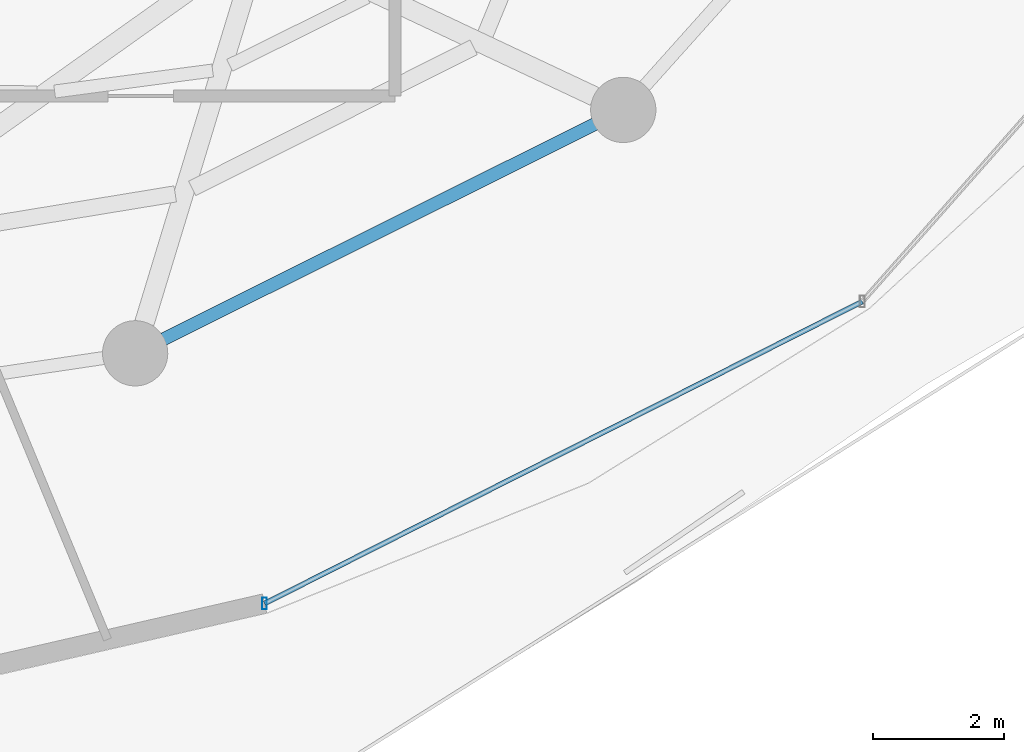
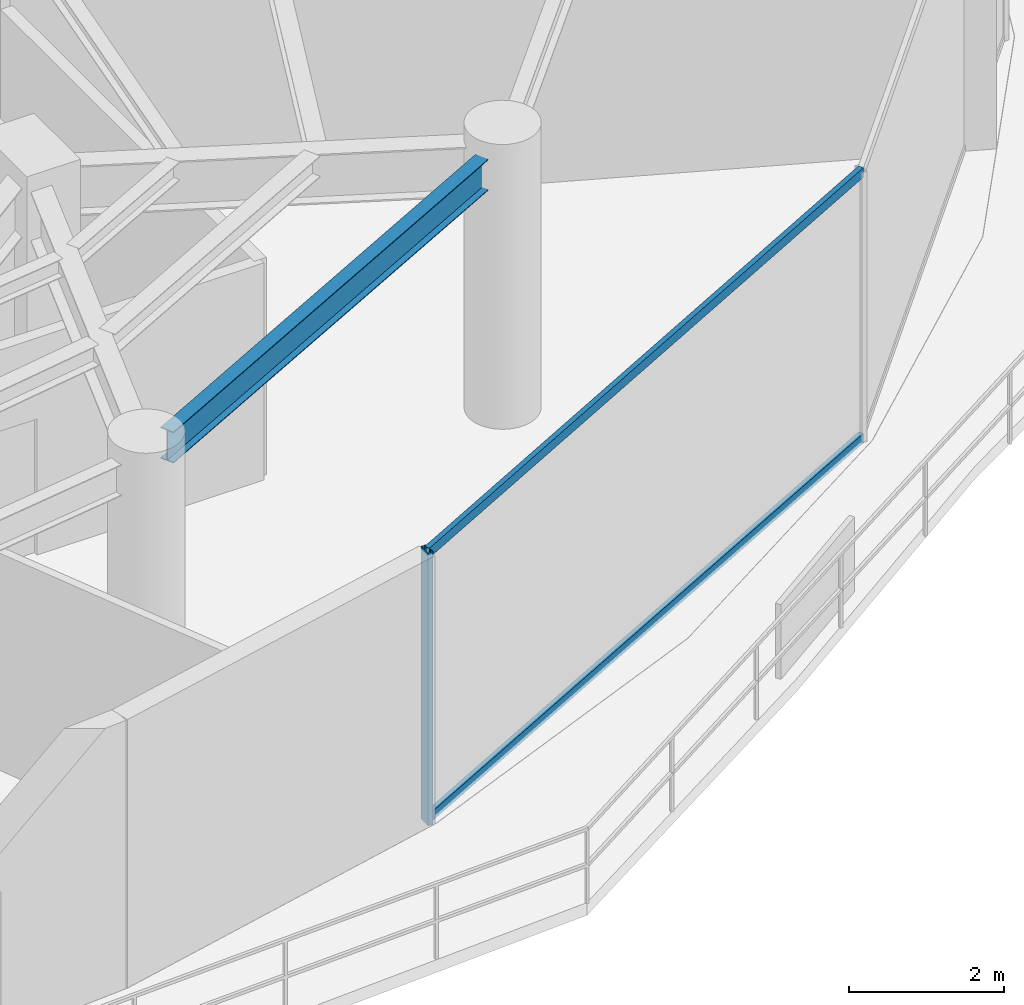
# One storey, part 11 of 31: 3 members, 1 beam, 1 element without a shape of its own.
"""IFC4 building model written with IfcOpenShell, lengths in metres."""

from ifc_helpers import new_model, si_unit, direction, frame, origin, origin_2d, place, context, subcontext, project, spatial, hollow_rectangle, i_section, extrude, material, material_profile, profile_set, type_object, element, aggregate, save


model = new_model("IFC4")

# Units and contexts
model_context = context("Model", 3, precision=1e-05, world=origin(), true_north=direction((0.0, 1.0)))
body_context = subcontext(model_context, "Body", "Model", "MODEL_VIEW")
ifc_project = project(units=[si_unit("LENGTHUNIT", "METRE"), si_unit("AREAUNIT", "SQUARE_METRE"), si_unit("VOLUMEUNIT", "CUBIC_METRE"), si_unit("PLANEANGLEUNIT", "RADIAN"), si_unit("MASSUNIT", "GRAM", prefix="KILO")], contexts=[model_context])

# Site, building, storey
site_placement = place(None, origin())
site = spatial("IfcSite", under=ifc_project, at=site_placement, CompositionType="ELEMENT")
building_placement = place(site_placement, origin())
building = spatial("IfcBuilding", under=site, at=building_placement, Name="Vorneva Point Tower", CompositionType="ELEMENT")
storey_placement = place(building_placement, frame((0.0, 0.0, 174.60009765625)))
storey = spatial("IfcBuildingStorey", under=building, at=storey_placement, Name="L47", CompositionType="ELEMENT", Elevation=174.60009765625)

# Beam
ifc_material_1 = material(Name="Steel S355", Category="steel")
ifc_material_profile_1 = material_profile(ifc_material_1, i_section(OverallWidth=0.199951171875, OverallDepth=0.491943359375, WebThickness=0.0087890625, FlangeThickness=0.011962890625, at=origin_2d()), Name="50B1")
ifc_profile_set_1 = profile_set([ifc_material_profile_1], Name="Steel S355")
beam_type = type_object("IfcBeamType", Name="BM-SPN-50B1", PredefinedType="SPANDREL", material=ifc_profile_set_1)
beam_placement = place(storey_placement, frame((47.2548828125, 10.32568359375, 3.993896484375), z_axis=(0.894929061397, 0.446208443518, 0.0), x_axis=(-0.446208443518, 0.894929061397, 0.0)))
element("IfcBeam", 1, at=beam_placement, inside=storey, type_object=beam_type, Name="L47 Perimeter Spandrel Ring Beam 14", PredefinedType="SPANDREL", context=body_context, shape_type="SweptSolid", body=[
    extrude(i_section(OverallWidth=0.199951171875, OverallDepth=0.491943359375, WebThickness=0.0087890625, FlangeThickness=0.011962890625, at=origin_2d()), origin(), (0.0, 0.0, 1.0), 7.385986328125),
])

# Curtain wall, members
ifc_material_2 = material(Name="Pale anodised aluminium", Category="aluminium")
curtain_wall_type = type_object("IfcCurtainWallType", Name="CW-SKY-SYS", PredefinedType="NOTDEFINED", material=ifc_material_2)
curtain_wall_placement = place(storey_placement, origin())
curtain_wall = element("IfcCurtainWall", 2, at=curtain_wall_placement, inside=storey, type_object=curtain_wall_type, Name="L47 Unitised Curtain Wall CW-L47-R01", PredefinedType="NOTDEFINED")
ifc_material_profile_2 = material_profile(ifc_material_2, hollow_rectangle(XDim=0.074951171875, YDim=0.179931640625, WallThickness=0.00390625, at=origin_2d()), Name="AL-MUL 180x75x4")
ifc_profile_set_2 = profile_set([ifc_material_profile_2], Name="Pale anodised aluminium")
member_type_1 = type_object("IfcMemberType", Name="CW-MUL-180", PredefinedType="MULLION", material=ifc_profile_set_2)
member_1_placement = place(storey_placement, frame((48.80322265625, 6.275146484375, -0.0400390625), z_axis=(0.0, 0.0, 1.0), x_axis=(1.0, 0.0, 0.0)))
member_1 = element("IfcMember", 3, at=member_1_placement, type_object=member_type_1, Name="CW-L47-R01 Mullion 01", PredefinedType="MULLION", context=body_context, shape_type="SweptSolid", body=[
    extrude(hollow_rectangle(XDim=0.074951171875, YDim=0.179931640625, WallThickness=0.00390625, at=origin_2d()), origin(), (0.0, 0.0, 1.0), 4.31005859375),
])
ifc_material_profile_3 = material_profile(ifc_material_2, hollow_rectangle(XDim=0.074951171875, YDim=0.14990234375, WallThickness=0.00390625, at=origin_2d()), Name="AL-TRN 150x75x4")
ifc_profile_set_3 = profile_set([ifc_material_profile_3], Name="Pale anodised aluminium")
member_type_2 = type_object("IfcMemberType", Name="CW-TRN-150", PredefinedType="USERDEFINED", material=ifc_profile_set_3)
member_2_placement = place(storey_placement, frame((48.80322265625, 6.275146484375, 0.02001953125), z_axis=(0.892510927709, 0.451025768576, 0.0), x_axis=(-0.451025768576, 0.892510927709, 0.0)))
member_2 = element("IfcMember", 4, at=member_2_placement, type_object=member_type_2, Name="CW-L47-R01 Transom 01.1", ObjectType="TRANSOM", PredefinedType="USERDEFINED", context=body_context, shape_type="SweptSolid", body=[
    extrude(hollow_rectangle(XDim=0.074951171875, YDim=0.14990234375, WallThickness=0.00390625, at=origin_2d()), origin(), (0.0, 0.0, 1.0), 10.261474609375),
])
member_3_placement = place(storey_placement, frame((48.80322265625, 6.275146484375, 4.219970703125), z_axis=(0.892510927709, 0.451025768576, 0.0), x_axis=(-0.451025768576, 0.892510927709, 0.0)))
member_3 = element("IfcMember", 5, at=member_3_placement, type_object=member_type_2, Name="CW-L47-R01 Transom 01.2", ObjectType="TRANSOM", PredefinedType="USERDEFINED", context=body_context, shape_type="SweptSolid", body=[
    extrude(hollow_rectangle(XDim=0.074951171875, YDim=0.14990234375, WallThickness=0.00390625, at=origin_2d()), origin(), (0.0, 0.0, 1.0), 10.261474609375),
])
aggregate(curtain_wall, [member_1, member_2, member_3])

save(model, "model.ifc")
